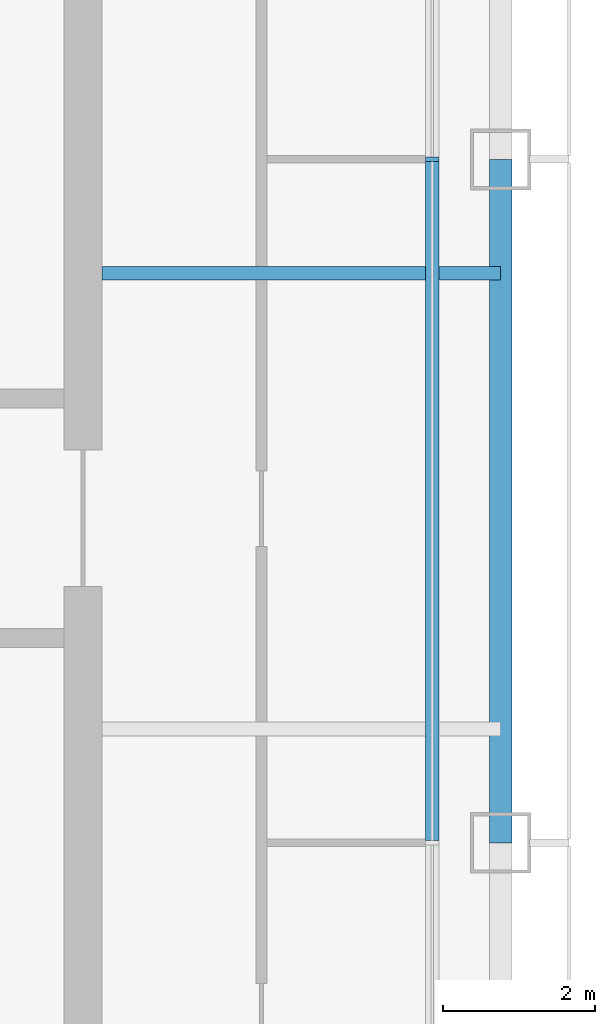
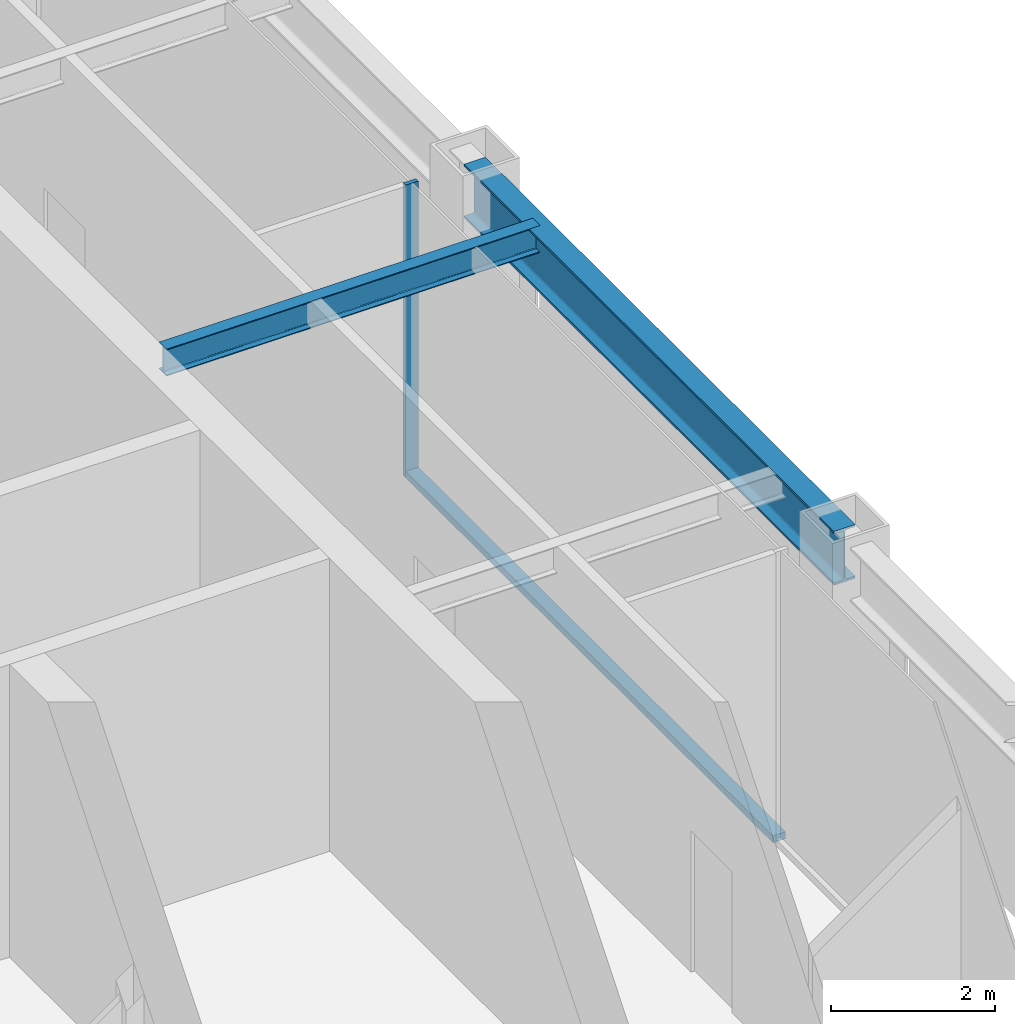
# One storey, part 5 of 23: 2 beams, 2 members, 1 element without a shape of its own.
"""IFC4 building model written with IfcOpenShell, lengths in metres."""

from ifc_helpers import new_model, si_unit, direction, frame, origin, origin_2d, place, context, subcontext, project, spatial, rectangle, i_section, extrude, material, layer, layer_set, material_profile, profile_set, type_object, element, aggregate, save


model = new_model("IFC4")

# Units and contexts
model_context = context("Model", 3, precision=1e-05, world=origin(), true_north=direction((0.0, 1.0)))
body_context = subcontext(model_context, "Body", "Model", "MODEL_VIEW")
ifc_project = project(units=[si_unit("LENGTHUNIT", "METRE"), si_unit("AREAUNIT", "SQUARE_METRE"), si_unit("VOLUMEUNIT", "CUBIC_METRE"), si_unit("PLANEANGLEUNIT", "RADIAN"), si_unit("MASSUNIT", "GRAM", prefix="KILO")], contexts=[model_context])

# Site, building, storey
site_placement = place(None, origin())
site = spatial("IfcSite", under=ifc_project, at=site_placement, CompositionType="ELEMENT")
building_placement = place(site_placement, origin())
building = spatial("IfcBuilding", under=site, at=building_placement, Name="Siwar Civic Tower", CompositionType="ELEMENT")
storey_placement = place(building_placement, frame((0.0, 0.0, 242.199951171875)))
storey = spatial("IfcBuildingStorey", under=building, at=storey_placement, Name="L52", CompositionType="ELEMENT", Elevation=242.199951171875)

# Curtain wall, members
ifc_material_1 = material(Name="Aluminium and glass", Category="aluminium")
ifc_layer = layer(ifc_material_1, 0.179931640625)
ifc_layer_set = layer_set([ifc_layer], Name="Aluminium and glass")
curtain_wall_type = type_object("IfcCurtainWallType", Name="ENV-CW-C", PredefinedType="NOTDEFINED", material=ifc_layer_set)
curtain_wall_placement = place(storey_placement, origin())
curtain_wall = element("IfcCurtainWall", 1, at=curtain_wall_placement, inside=storey, type_object=curtain_wall_type, Name="Curtain wall C E", PredefinedType="NOTDEFINED")
ifc_material_2 = material(Name="Aluminium 6063-T6", Category="aluminium")
ifc_material_profile_1 = material_profile(ifc_material_2, rectangle(XDim=0.179931640625, YDim=0.06005859375, at=origin_2d()), Name="AL 180x60")
ifc_profile_set_1 = profile_set([ifc_material_profile_1], Name="Aluminium 6063-T6")
member_type_1 = type_object("IfcMemberType", Name="ENV-MULLION-C", PredefinedType="MULLION", material=ifc_profile_set_1)
member_1_placement = place(storey_placement, frame((26.10009765625, 0.0, 0.0), z_axis=(0.0, 0.0, 1.0), x_axis=(-1.0, 0.0, 0.0)))
member_1 = element("IfcMember", 2, at=member_1_placement, type_object=member_type_1, Name="Mullion C E 3", PredefinedType="MULLION", context=body_context, shape_type="SweptSolid", body=[
    extrude(rectangle(XDim=0.179931640625, YDim=0.06005859375, at=origin_2d()), origin(), (0.0, 0.0, 1.0), 4.35009765625),
])
ifc_material_3 = material(Name="Aluminium 6063-T6", Category="aluminium")
ifc_material_profile_2 = material_profile(ifc_material_3, rectangle(XDim=0.179931640625, YDim=0.10009765625, at=origin_2d()), Name="AL 180x100")
ifc_profile_set_2 = profile_set([ifc_material_profile_2], Name="Aluminium 6063-T6")
member_type_2 = type_object("IfcMemberType", Name="ENV-TRANSOM-C", PredefinedType="USERDEFINED", material=ifc_profile_set_2)
member_2_placement = place(storey_placement, frame((26.10009765625, -8.969970703125, 0.050048828125), z_axis=(0.0, 1.0, 0.0), x_axis=(-1.0, 0.0, 0.0)))
member_2 = element("IfcMember", 3, at=member_2_placement, type_object=member_type_2, Name="Transom C E 2", ObjectType="TRANSOM", PredefinedType="USERDEFINED", context=body_context, shape_type="SweptSolid", body=[
    extrude(rectangle(XDim=0.179931640625, YDim=0.10009765625, at=origin_2d()), origin(), (0.0, 0.0, 1.0), 8.93994140625),
])
aggregate(curtain_wall, [member_1, member_2])

# Beams
ifc_material_4 = material(Name="Steel S355", Category="steel")
ifc_material_profile_3 = material_profile(ifc_material_4, i_section(OverallWidth=0.179931640625, OverallDepth=0.39990234375, WebThickness=0.008544921875, FlangeThickness=0.013427734375, FilletRadius=0.02099609375, at=origin_2d()), Name="IPE400")
ifc_profile_set_3 = profile_set([ifc_material_profile_3], Name="Steel S355")
beam_type_1 = type_object("IfcBeamType", Name="STR-FB-IPE400", PredefinedType="JOIST", material=ifc_profile_set_3)
beam_1_placement = place(storey_placement, frame((21.75, -1.5, 4.150146484375), z_axis=(1.0, 0.0, 0.0), x_axis=(0.0, 1.0, 0.0)))
element("IfcBeam", 4, at=beam_1_placement, inside=storey, type_object=beam_type_1, Name="L52/bm/F024", PredefinedType="JOIST", context=body_context, shape_type="SweptSolid", body=[
    extrude(i_section(OverallWidth=0.179931640625, OverallDepth=0.39990234375, WebThickness=0.008544921875, FlangeThickness=0.013427734375, FilletRadius=0.02099609375, at=origin_2d()), origin(), (0.0, 0.0, 1.0), 5.25),
])
ifc_material_5 = material(Name="Steel S355", Category="steel")
ifc_material_profile_4 = material_profile(ifc_material_5, i_section(OverallWidth=0.300048828125, OverallDepth=0.800048828125, WebThickness=0.017578125, FlangeThickness=0.032958984375, FilletRadius=0.030029296875, at=origin_2d()), Name="HEB800")
ifc_profile_set_4 = profile_set([ifc_material_profile_4], Name="Steel S355")
beam_type_2 = type_object("IfcBeamType", Name="STR-SB-HEB800", PredefinedType="BEAM", material=ifc_profile_set_4)
beam_2_placement = place(storey_placement, frame((27.0, -9.0, 3.949951171875), z_axis=(0.0, 1.0, 0.0), x_axis=(-1.0, 0.0, 0.0)))
element("IfcBeam", 5, at=beam_2_placement, inside=storey, type_object=beam_type_2, Name="L52/bm/SE-1", PredefinedType="BEAM", context=body_context, shape_type="SweptSolid", body=[
    extrude(i_section(OverallWidth=0.300048828125, OverallDepth=0.800048828125, WebThickness=0.017578125, FlangeThickness=0.032958984375, FilletRadius=0.030029296875, at=origin_2d()), origin(), (0.0, 0.0, 1.0), 9.0),
])

save(model, "model.ifc")
